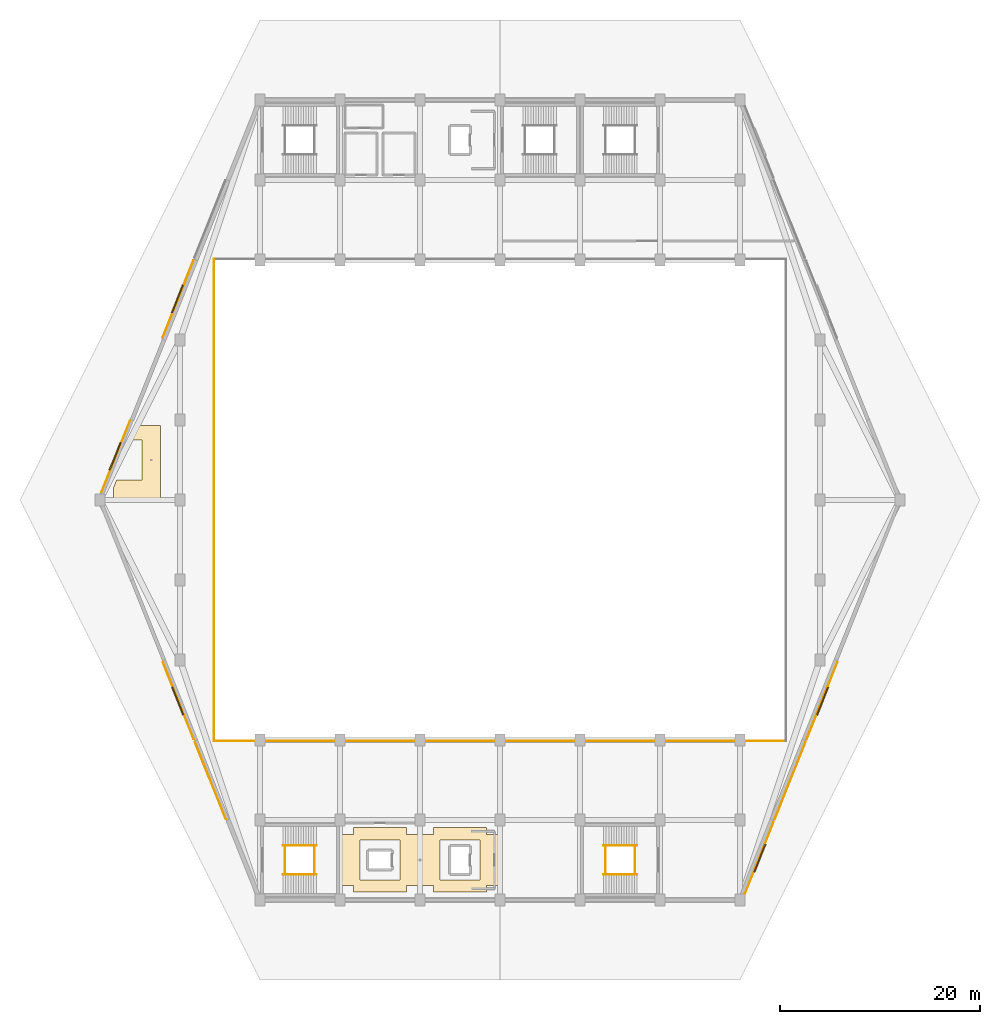
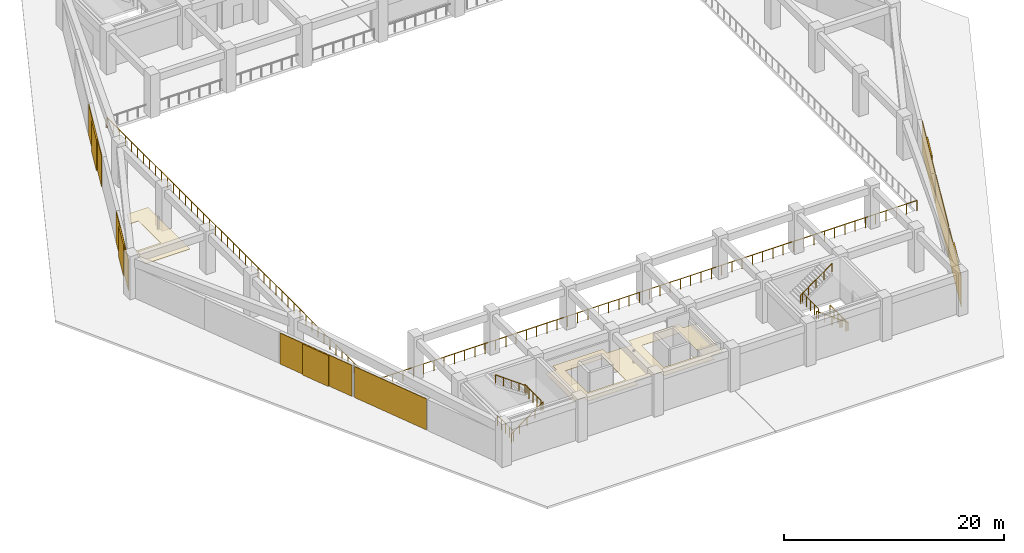
# One storey, part 7 of 8: 10 railings, 9 coverings, 5 shading devices.
"""IFC4 building model written with IfcOpenShell, lengths in metres."""

from ifc_helpers import new_model, si_unit, direction, frame, origin, origin_2d, place, context, subcontext, project, spatial, polyline, rectangle, circle, outline, extrude, material, layer, layer_set, type_object, element, save


model = new_model("IFC4")

# Units and contexts
model_context = context("Model", 3, precision=1e-05, world=origin(), true_north=direction((0.0, 1.0)))
body_context = subcontext(model_context, "Body", "Model", "MODEL_VIEW")
ifc_project = project(units=[si_unit("LENGTHUNIT", "METRE"), si_unit("AREAUNIT", "SQUARE_METRE"), si_unit("VOLUMEUNIT", "CUBIC_METRE"), si_unit("PLANEANGLEUNIT", "RADIAN"), si_unit("MASSUNIT", "GRAM", prefix="KILO")], contexts=[model_context])

# Site, building, storey
site_placement = place(None, origin())
site = spatial("IfcSite", under=ifc_project, at=site_placement, CompositionType="ELEMENT")
building_placement = place(site_placement, origin())
building = spatial("IfcBuilding", under=site, at=building_placement, Name="Tazarka Park Arena", CompositionType="ELEMENT")
storey_placement = place(building_placement, frame((0.0, 0.0, 19.800048828125)))
storey = spatial("IfcBuildingStorey", under=building, at=storey_placement, Name="L04", CompositionType="ELEMENT", Elevation=19.800048828125)

# Coverings
ifc_material_1 = material(Name="Dark ribbed perforated bronze-charcoal aluminium mesh", Category="aluminium")
ifc_layer_1 = layer(ifc_material_1, 0.06005859375, Name="Dark ribbed perforated bronze-charcoal aluminium mesh")
ifc_layer_set_1 = layer_set([ifc_layer_1], Name="Dark ribbed perforated bronze-charcoal aluminium mesh")
covering_type_1 = type_object("IfcCoveringType", Name="CLD-01", PredefinedType="CLADDING", material=ifc_layer_set_1)
for number, where, z_axis, x_axis, name in (
    (1, (120.19970703125, 43.920166015625, 0.0), (0.0, 0.0, 1.0), (-0.37136783555, -0.928485826881, 0.0), "Ribbed Metal Mesh Cladding EW-L04-0332"),
    (2, (117.0087890625, 35.91650390625, 0.0), (0.0, 0.0, 1.0), (-0.37136783555, -0.928485826881, 0.0), "Ribbed Metal Mesh Cladding EW-L04-0333"),
):
    element("IfcCovering", number, at=place(storey_placement, frame(where, z_axis=z_axis, x_axis=x_axis)), inside=storey, type_object=covering_type_1, Name=name, PredefinedType="CLADDING", context=body_context, shape_type="SweptSolid", body=[
        extrude(rectangle(XDim=8.31640625, YDim=0.06005859375, at=origin_2d()), origin(), (0.0, 0.0, 1.0), 3.449951171875),
    ])
for number, where, z_axis, x_axis, name in (
    (3, (113.929443359375, 28.20458984375, 0.0), (0.0, 0.0, 1.0), (-0.37136783555, -0.928485826881, 0.0), "Ribbed Metal Mesh Cladding EW-L04-0334"),
    (4, (49.572021484375, 68.34765625, 0.0), (0.0, 0.0, 1.0), (0.37136783555, 0.928485826881, 0.0), "Ribbed Metal Mesh Cladding EW-L04-0346"),
):
    element("IfcCovering", number, at=place(storey_placement, frame(where, z_axis=z_axis, x_axis=x_axis)), inside=storey, type_object=covering_type_1, Name=name, PredefinedType="CLADDING", context=body_context, shape_type="SweptSolid", body=[
        extrude(rectangle(XDim=7.691650390625, YDim=0.06005859375, at=origin_2d()), origin(), (0.0, 0.0, 1.0), 3.449951171875),
    ])
for number, where, z_axis, x_axis, name in (
    (5, (55.80029296875, 84.079833984375, 0.0), (0.0, 0.0, 1.0), (0.37136783555, 0.928485826881, 0.0), "Ribbed Metal Mesh Cladding EW-L04-0348"),
    (6, (59.042236328125, 35.93701171875, 0.0), (0.0, 0.0, 1.0), (-0.37136783555, 0.928485826881, 0.0), "Ribbed Metal Mesh Cladding EW-L04-0352"),
    (7, (55.8330078125, 43.93310546875, 0.0), (0.0, 0.0, 1.0), (-0.37136783555, 0.928485826881, 0.0), "Ribbed Metal Mesh Cladding EW-L04-0353"),
):
    element("IfcCovering", number, at=place(storey_placement, frame(where, z_axis=z_axis, x_axis=x_axis)), inside=storey, type_object=covering_type_1, Name=name, PredefinedType="CLADDING", context=body_context, shape_type="SweptSolid", body=[
        extrude(rectangle(XDim=8.31640625, YDim=0.06005859375, at=origin_2d()), origin(), (0.0, 0.0, 1.0), 3.449951171875),
    ])
ifc_material_2 = material(Name="Perforated acoustic mineral-wool ceiling tile")
ifc_layer_2 = layer(ifc_material_2, 0.0400390625, Name="Perforated acoustic mineral-wool ceiling tile")
ifc_layer_set_2 = layer_set([ifc_layer_2], Name="Perforated acoustic mineral-wool ceiling tile")
covering_type_2 = type_object("IfcCoveringType", Name="CLG-01", PredefinedType="CEILING", material=ifc_layer_set_2)
covering_1_placement = place(storey_placement, frame((0.0, 0.0, 3.099853515625)))
element("IfcCovering", 8, at=covering_1_placement, inside=storey, type_object=covering_type_2, Name="Acoustic Ceiling South Sky Hospitality Suite Ring 11", PredefinedType="CEILING", context=body_context, shape_type="SweptSolid", body=[
    extrude(outline(polyline([(78.64990234375, 31.25), (78.64990234375, 30.550048828125), (81.35009765625, 30.550048828125), (81.35009765625, 31.25), (86.64990234375, 31.25), (86.64990234375, 30.550048828125), (87.89990234375, 30.550048828125), (87.89990234375, 25.449951171875), (86.64990234375, 25.449951171875), (86.64990234375, 24.800048828125), (81.35009765625, 24.800048828125), (81.35009765625, 25.449951171875), (78.64990234375, 25.449951171875), (78.64990234375, 24.800048828125), (73.35009765625, 24.800048828125), (73.35009765625, 25.449951171875), (72.18994140625, 25.449951171875), (72.18994140625, 30.550048828125), (73.35009765625, 30.550048828125), (73.35009765625, 31.25), (78.64990234375, 31.25)]), holes=[polyline([(74.0, 30.0), (74.0, 26.0), (78.0, 26.0), (78.0, 30.0), (74.0, 30.0)]), polyline([(82.0, 26.0), (86.0, 26.0), (86.0, 30.0), (82.0, 30.0), (82.0, 26.0)])]), origin(), (0.0, 0.0, 1.0), 0.0400390625),
])
ifc_material_3 = material(Name="Linear slatted timber-acoustic ceiling", Category="wood")
ifc_layer_3 = layer(ifc_material_3, 0.050048828125, Name="Linear slatted timber-acoustic ceiling")
ifc_layer_set_3 = layer_set([ifc_layer_3], Name="Linear slatted timber-acoustic ceiling")
covering_type_3 = type_object("IfcCoveringType", Name="CLG-02", PredefinedType="CEILING", material=ifc_layer_set_3)
covering_2_placement = place(storey_placement, frame((0.0, 0.0, 3.099853515625)))
element("IfcCovering", 9, at=covering_2_placement, inside=storey, type_object=covering_type_3, Name="Acoustic Ceiling International Media Centre and Press Workroom 10", PredefinedType="CEILING", context=body_context, shape_type="SweptSolid", body=[
    extrude(outline(polyline([(49.66162109375, 66.0), (52.199951171875, 66.0), (52.199951171875, 70.0), (51.26171875, 70.0), (51.841796875, 71.449951171875), (54.050048828125, 71.449951171875), (54.050048828125, 63.800048828125), (49.35009765625, 63.800048828125), (49.35009765625, 65.220703125), (49.66162109375, 66.0)])), origin(), (0.0, 0.0, 1.0), 0.050048828125),
])

# Railings
ifc_material_4 = material(Name="Brushed architectural stainless steel", Category="steel")
railing_type_1 = type_object("IfcRailingType", Name="HR-01", PredefinedType="HANDRAIL", material=ifc_material_4)
railing_1_placement = place(storey_placement, frame((66.31494140625, 26.550048828125, 0.0)))
element("IfcRailing", 10, at=railing_1_placement, inside=storey, type_object=railing_type_1, Name="Stair Handrail ST09-L04-F1", PredefinedType="HANDRAIL", context=body_context, shape_type="SweptSolid", body=[
    extrude(circle(Radius=0.02392578125, at=origin_2d()), frame((0.0, 0.0, 0.89599609375), z_axis=(0.810008566192, 0.0, 0.586418044312), x_axis=(0.0, 1.0, 0.0)), (0.0, 0.0, 1.0), 4.092529296875),
    extrude(circle(Radius=0.02099609375, at=origin_2d()), origin(), (0.0, 0.0, 1.0), 0.871826171875),
    extrude(circle(Radius=0.02099609375, at=origin_2d()), frame((0.82861328125, 0.0, 0.60009765625)), (0.0, 0.0, 1.0), 0.871826171875),
    extrude(circle(Radius=0.02099609375, at=origin_2d()), frame((1.657470703125, 0.0, 1.199951171875)), (0.0, 0.0, 1.0), 0.871826171875),
    extrude(circle(Radius=0.02099609375, at=origin_2d()), frame((2.486328125, 0.0, 1.7998046875)), (0.0, 0.0, 1.0), 0.871826171875),
    extrude(circle(Radius=0.02099609375, at=origin_2d()), frame((3.31494140625, 0.0, 2.39990234375)), (0.0, 0.0, 1.0), 0.871826171875),
])
railing_2_placement = place(storey_placement, frame((69.6298828125, 29.449951171875, 2.39990234375)))
element("IfcRailing", 11, at=railing_2_placement, inside=storey, type_object=railing_type_1, Name="Stair Handrail ST09-L04-F2", PredefinedType="HANDRAIL", context=body_context, shape_type="SweptSolid", body=[
    extrude(circle(Radius=0.02392578125, at=origin_2d()), frame((0.0, 0.0, 0.89599609375), z_axis=(-0.809980229442, 0.0, 0.586457183359), x_axis=(0.0, -1.0, 0.0)), (0.0, 0.0, 1.0), 4.092529296875),
    extrude(circle(Radius=0.02099609375, at=origin_2d()), origin(), (0.0, 0.0, 1.0), 0.871826171875),
    extrude(circle(Radius=0.02099609375, at=origin_2d()), frame((-0.82861328125, 0.0, 0.60009765625)), (0.0, 0.0, 1.0), 0.871826171875),
    extrude(circle(Radius=0.02099609375, at=origin_2d()), frame((-1.657470703125, 0.0, 1.2001953125)), (0.0, 0.0, 1.0), 0.871826171875),
    extrude(circle(Radius=0.02099609375, at=origin_2d()), frame((-2.486328125, 0.0, 1.800048828125)), (0.0, 0.0, 1.0), 0.871826171875),
    extrude(circle(Radius=0.02099609375, at=origin_2d()), frame((-3.31494140625, 0.0, 2.400146484375)), (0.0, 0.0, 1.0), 0.871826171875),
])
railing_3_placement = place(storey_placement, frame((101.68505859375, 26.550048828125, 0.0)))
element("IfcRailing", 12, at=railing_3_placement, inside=storey, type_object=railing_type_1, Name="Stair Handrail ST11-L04-F1", PredefinedType="HANDRAIL", context=body_context, shape_type="SweptSolid", body=[
    extrude(circle(Radius=0.02392578125, at=origin_2d()), frame((0.0, 0.0, 0.89599609375), z_axis=(-0.810008566192, 0.0, 0.586418044312), x_axis=(0.0, -1.0, 0.0)), (0.0, 0.0, 1.0), 4.092529296875),
    extrude(circle(Radius=0.02099609375, at=origin_2d()), origin(), (0.0, 0.0, 1.0), 0.871826171875),
    extrude(circle(Radius=0.02099609375, at=origin_2d()), frame((-0.82861328125, 0.0, 0.60009765625)), (0.0, 0.0, 1.0), 0.871826171875),
    extrude(circle(Radius=0.02099609375, at=origin_2d()), frame((-1.657470703125, 0.0, 1.199951171875)), (0.0, 0.0, 1.0), 0.871826171875),
    extrude(circle(Radius=0.02099609375, at=origin_2d()), frame((-2.486328125, 0.0, 1.7998046875)), (0.0, 0.0, 1.0), 0.871826171875),
    extrude(circle(Radius=0.02099609375, at=origin_2d()), frame((-3.31494140625, 0.0, 2.39990234375)), (0.0, 0.0, 1.0), 0.871826171875),
])
railing_4_placement = place(storey_placement, frame((98.3701171875, 29.449951171875, 2.39990234375)))
element("IfcRailing", 13, at=railing_4_placement, inside=storey, type_object=railing_type_1, Name="Stair Handrail ST11-L04-F2", PredefinedType="HANDRAIL", context=body_context, shape_type="SweptSolid", body=[
    extrude(circle(Radius=0.02392578125, at=origin_2d()), frame((0.0, 0.0, 0.89599609375), z_axis=(0.809980229442, 0.0, 0.586457183359), x_axis=(0.0, 1.0, 0.0)), (0.0, 0.0, 1.0), 4.092529296875),
    extrude(circle(Radius=0.02099609375, at=origin_2d()), origin(), (0.0, 0.0, 1.0), 0.871826171875),
    extrude(circle(Radius=0.02099609375, at=origin_2d()), frame((0.82861328125, 0.0, 0.60009765625)), (0.0, 0.0, 1.0), 0.871826171875),
    extrude(circle(Radius=0.02099609375, at=origin_2d()), frame((1.657470703125, 0.0, 1.2001953125)), (0.0, 0.0, 1.0), 0.871826171875),
    extrude(circle(Radius=0.02099609375, at=origin_2d()), frame((2.486328125, 0.0, 1.800048828125)), (0.0, 0.0, 1.0), 0.871826171875),
    extrude(circle(Radius=0.02099609375, at=origin_2d()), frame((3.31494140625, 0.0, 2.400146484375)), (0.0, 0.0, 1.0), 0.871826171875),
])
ifc_material_5 = material(Name="Galvanised powder-coated architectural steel", Category="steel")
railing_type_2 = type_object("IfcRailingType", Name="IGR-01", PredefinedType="GUARDRAIL", material=ifc_material_5)
for number, where, name in (
    (14, (66.514892578125, 26.550048828125, 0.0), "Stair Well Guardrail ST09-L04"),
    (15, (69.429931640625, 26.550048828125, 2.39990234375), "Landing Guardrail ST09-L04-M"),
    (16, (101.485107421875, 26.550048828125, 0.0), "Stair Well Guardrail ST11-L04"),
    (17, (98.570068359375, 26.550048828125, 2.39990234375), "Landing Guardrail ST11-L04-M"),
):
    element("IfcRailing", number, at=place(storey_placement, frame(where)), inside=storey, type_object=railing_type_2, Name=name, PredefinedType="GUARDRAIL", context=body_context, shape_type="SweptSolid", body=[
        extrude(circle(Radius=0.02392578125, at=origin_2d()), frame((0.0, 0.0, 1.1259765625), z_axis=(0.0, 1.0, 0.0), x_axis=(-1.0, 0.0, 0.0)), (0.0, 0.0, 1.0), 2.89990234375),
        extrude(circle(Radius=0.02099609375, at=origin_2d()), origin(), (0.0, 0.0, 1.0), 1.101806640625),
        extrude(circle(Radius=0.02099609375, at=origin_2d()), frame((0.0, 0.72509765625, 0.0)), (0.0, 0.0, 1.0), 1.101806640625),
        extrude(circle(Radius=0.02099609375, at=origin_2d()), frame((0.0, 1.449951171875, 0.0)), (0.0, 0.0, 1.0), 1.101806640625),
        extrude(circle(Radius=0.02099609375, at=origin_2d()), frame((0.0, 2.1748046875, 0.0)), (0.0, 0.0, 1.0), 1.101806640625),
        extrude(circle(Radius=0.02099609375, at=origin_2d()), frame((0.0, 2.89990234375, 0.0)), (0.0, 0.0, 1.0), 1.101806640625),
    ])
railing_5_placement = place(storey_placement, frame((59.3798828125, 39.8798828125, 0.0)))
element("IfcRailing", 18, at=railing_5_placement, inside=storey, type_object=railing_type_2, Name="Interior Barrier Guardrail IGR-01-015", PredefinedType="GUARDRAIL", context=body_context, shape_type="SweptSolid", body=[
    extrude(circle(Radius=0.02392578125, at=origin_2d()), frame((0.0, 0.0, 1.1259765625), z_axis=(0.0, 1.0, 0.0), x_axis=(-1.0, 0.0, 0.0)), (0.0, 0.0, 1.0), 48.240234375),
    extrude(circle(Radius=0.02099609375, at=origin_2d()), origin(), (0.0, 0.0, 1.0), 1.101806640625),
    extrude(circle(Radius=0.02099609375, at=origin_2d()), frame((0.0, 1.096435546875, 0.0)), (0.0, 0.0, 1.0), 1.101806640625),
    extrude(circle(Radius=0.02099609375, at=origin_2d()), frame((0.0, 2.192626953125, 0.0)), (0.0, 0.0, 1.0), 1.101806640625),
    extrude(circle(Radius=0.02099609375, at=origin_2d()), frame((0.0, 3.2890625, 0.0)), (0.0, 0.0, 1.0), 1.101806640625),
    extrude(circle(Radius=0.02099609375, at=origin_2d()), frame((0.0, 4.385498046875, 0.0)), (0.0, 0.0, 1.0), 1.101806640625),
    extrude(circle(Radius=0.02099609375, at=origin_2d()), frame((0.0, 5.48193359375, 0.0)), (0.0, 0.0, 1.0), 1.101806640625),
    extrude(circle(Radius=0.02099609375, at=origin_2d()), frame((0.0, 6.578125, 0.0)), (0.0, 0.0, 1.0), 1.101806640625),
    extrude(circle(Radius=0.02099609375, at=origin_2d()), frame((0.0, 7.674560546875, 0.0)), (0.0, 0.0, 1.0), 1.101806640625),
    extrude(circle(Radius=0.02099609375, at=origin_2d()), frame((0.0, 8.77099609375, 0.0)), (0.0, 0.0, 1.0), 1.101806640625),
    extrude(circle(Radius=0.02099609375, at=origin_2d()), frame((0.0, 9.867431640625, 0.0)), (0.0, 0.0, 1.0), 1.101806640625),
    extrude(circle(Radius=0.02099609375, at=origin_2d()), frame((0.0, 10.963623046875, 0.0)), (0.0, 0.0, 1.0), 1.101806640625),
    extrude(circle(Radius=0.02099609375, at=origin_2d()), frame((0.0, 12.06005859375, 0.0)), (0.0, 0.0, 1.0), 1.101806640625),
    extrude(circle(Radius=0.02099609375, at=origin_2d()), frame((0.0, 13.156494140625, 0.0)), (0.0, 0.0, 1.0), 1.101806640625),
    extrude(circle(Radius=0.02099609375, at=origin_2d()), frame((0.0, 14.252685546875, 0.0)), (0.0, 0.0, 1.0), 1.101806640625),
    extrude(circle(Radius=0.02099609375, at=origin_2d()), frame((0.0, 15.34912109375, 0.0)), (0.0, 0.0, 1.0), 1.101806640625),
    extrude(circle(Radius=0.02099609375, at=origin_2d()), frame((0.0, 16.445556640625, 0.0)), (0.0, 0.0, 1.0), 1.101806640625),
    extrude(circle(Radius=0.02099609375, at=origin_2d()), frame((0.0, 17.5419921875, 0.0)), (0.0, 0.0, 1.0), 1.101806640625),
    extrude(circle(Radius=0.02099609375, at=origin_2d()), frame((0.0, 18.63818359375, 0.0)), (0.0, 0.0, 1.0), 1.101806640625),
    extrude(circle(Radius=0.02099609375, at=origin_2d()), frame((0.0, 19.734619140625, 0.0)), (0.0, 0.0, 1.0), 1.101806640625),
    extrude(circle(Radius=0.02099609375, at=origin_2d()), frame((0.0, 20.8310546875, 0.0)), (0.0, 0.0, 1.0), 1.101806640625),
    extrude(circle(Radius=0.02099609375, at=origin_2d()), frame((0.0, 21.927490234375, 0.0)), (0.0, 0.0, 1.0), 1.101806640625),
    extrude(circle(Radius=0.02099609375, at=origin_2d()), frame((0.0, 23.023681640625, 0.0)), (0.0, 0.0, 1.0), 1.101806640625),
    extrude(circle(Radius=0.02099609375, at=origin_2d()), frame((0.0, 24.1201171875, 0.0)), (0.0, 0.0, 1.0), 1.101806640625),
    extrude(circle(Radius=0.02099609375, at=origin_2d()), frame((0.0, 25.216552734375, 0.0)), (0.0, 0.0, 1.0), 1.101806640625),
    extrude(circle(Radius=0.02099609375, at=origin_2d()), frame((0.0, 26.312744140625, 0.0)), (0.0, 0.0, 1.0), 1.101806640625),
    extrude(circle(Radius=0.02099609375, at=origin_2d()), frame((0.0, 27.4091796875, 0.0)), (0.0, 0.0, 1.0), 1.101806640625),
    extrude(circle(Radius=0.02099609375, at=origin_2d()), frame((0.0, 28.505615234375, 0.0)), (0.0, 0.0, 1.0), 1.101806640625),
    extrude(circle(Radius=0.02099609375, at=origin_2d()), frame((0.0, 29.60205078125, 0.0)), (0.0, 0.0, 1.0), 1.101806640625),
    extrude(circle(Radius=0.02099609375, at=origin_2d()), frame((0.0, 30.6982421875, 0.0)), (0.0, 0.0, 1.0), 1.101806640625),
    extrude(circle(Radius=0.02099609375, at=origin_2d()), frame((0.0, 31.794677734375, 0.0)), (0.0, 0.0, 1.0), 1.101806640625),
    extrude(circle(Radius=0.02099609375, at=origin_2d()), frame((0.0, 32.89111328125, 0.0)), (0.0, 0.0, 1.0), 1.101806640625),
    extrude(circle(Radius=0.02099609375, at=origin_2d()), frame((0.0, 33.987548828125, 0.0)), (0.0, 0.0, 1.0), 1.101806640625),
    extrude(circle(Radius=0.02099609375, at=origin_2d()), frame((0.0, 35.083740234375, 0.0)), (0.0, 0.0, 1.0), 1.101806640625),
    extrude(circle(Radius=0.02099609375, at=origin_2d()), frame((0.0, 36.18017578125, 0.0)), (0.0, 0.0, 1.0), 1.101806640625),
    extrude(circle(Radius=0.02099609375, at=origin_2d()), frame((0.0, 37.276611328125, 0.0)), (0.0, 0.0, 1.0), 1.101806640625),
    extrude(circle(Radius=0.02099609375, at=origin_2d()), frame((0.0, 38.372802734375, 0.0)), (0.0, 0.0, 1.0), 1.101806640625),
    extrude(circle(Radius=0.02099609375, at=origin_2d()), frame((0.0, 39.46923828125, 0.0)), (0.0, 0.0, 1.0), 1.101806640625),
    extrude(circle(Radius=0.02099609375, at=origin_2d()), frame((0.0, 40.565673828125, 0.0)), (0.0, 0.0, 1.0), 1.101806640625),
    extrude(circle(Radius=0.02099609375, at=origin_2d()), frame((0.0, 41.662109375, 0.0)), (0.0, 0.0, 1.0), 1.101806640625),
    extrude(circle(Radius=0.02099609375, at=origin_2d()), frame((0.0, 42.75830078125, 0.0)), (0.0, 0.0, 1.0), 1.101806640625),
    extrude(circle(Radius=0.02099609375, at=origin_2d()), frame((0.0, 43.854736328125, 0.0)), (0.0, 0.0, 1.0), 1.101806640625),
    extrude(circle(Radius=0.02099609375, at=origin_2d()), frame((0.0, 44.951171875, 0.0)), (0.0, 0.0, 1.0), 1.101806640625),
    extrude(circle(Radius=0.02099609375, at=origin_2d()), frame((0.0, 46.047607421875, 0.0)), (0.0, 0.0, 1.0), 1.101806640625),
    extrude(circle(Radius=0.02099609375, at=origin_2d()), frame((0.0, 47.143798828125, 0.0)), (0.0, 0.0, 1.0), 1.101806640625),
    extrude(circle(Radius=0.02099609375, at=origin_2d()), frame((0.0, 48.240234375, 0.0)), (0.0, 0.0, 1.0), 1.101806640625),
])
railing_6_placement = place(storey_placement, frame((59.3798828125, 39.8798828125, 0.0)))
element("IfcRailing", 19, at=railing_6_placement, inside=storey, type_object=railing_type_2, Name="Interior Barrier Guardrail IGR-01-017", PredefinedType="GUARDRAIL", context=body_context, shape_type="SweptSolid", body=[
    extrude(circle(Radius=0.02392578125, at=origin_2d()), frame((0.0, 0.0, 1.1259765625), z_axis=(1.0, 0.0, 0.0), x_axis=(0.0, 1.0, 0.0)), (0.0, 0.0, 1.0), 57.240234375),
    extrude(circle(Radius=0.02099609375, at=origin_2d()), origin(), (0.0, 0.0, 1.0), 1.101806640625),
    extrude(circle(Radius=0.02099609375, at=origin_2d()), frame((1.080078125, 0.0, 0.0)), (0.0, 0.0, 1.0), 1.101806640625),
    extrude(circle(Radius=0.02099609375, at=origin_2d()), frame((2.159912109375, 0.0, 0.0)), (0.0, 0.0, 1.0), 1.101806640625),
    extrude(circle(Radius=0.02099609375, at=origin_2d()), frame((3.239990234375, 0.0, 0.0)), (0.0, 0.0, 1.0), 1.101806640625),
    extrude(circle(Radius=0.02099609375, at=origin_2d()), frame((4.320068359375, 0.0, 0.0)), (0.0, 0.0, 1.0), 1.101806640625),
    extrude(circle(Radius=0.02099609375, at=origin_2d()), frame((5.39990234375, 0.0, 0.0)), (0.0, 0.0, 1.0), 1.101806640625),
    extrude(circle(Radius=0.02099609375, at=origin_2d()), frame((6.47998046875, 0.0, 0.0)), (0.0, 0.0, 1.0), 1.101806640625),
    extrude(circle(Radius=0.02099609375, at=origin_2d()), frame((7.56005859375, 0.0, 0.0)), (0.0, 0.0, 1.0), 1.101806640625),
    extrude(circle(Radius=0.02099609375, at=origin_2d()), frame((8.64013671875, 0.0, 0.0)), (0.0, 0.0, 1.0), 1.101806640625),
    extrude(circle(Radius=0.02099609375, at=origin_2d()), frame((9.719970703125, 0.0, 0.0)), (0.0, 0.0, 1.0), 1.101806640625),
    extrude(circle(Radius=0.02099609375, at=origin_2d()), frame((10.800048828125, 0.0, 0.0)), (0.0, 0.0, 1.0), 1.101806640625),
    extrude(circle(Radius=0.02099609375, at=origin_2d()), frame((11.880126953125, 0.0, 0.0)), (0.0, 0.0, 1.0), 1.101806640625),
    extrude(circle(Radius=0.02099609375, at=origin_2d()), frame((12.9599609375, 0.0, 0.0)), (0.0, 0.0, 1.0), 1.101806640625),
    extrude(circle(Radius=0.02099609375, at=origin_2d()), frame((14.0400390625, 0.0, 0.0)), (0.0, 0.0, 1.0), 1.101806640625),
    extrude(circle(Radius=0.02099609375, at=origin_2d()), frame((15.1201171875, 0.0, 0.0)), (0.0, 0.0, 1.0), 1.101806640625),
    extrude(circle(Radius=0.02099609375, at=origin_2d()), frame((16.199951171875, 0.0, 0.0)), (0.0, 0.0, 1.0), 1.101806640625),
    extrude(circle(Radius=0.02099609375, at=origin_2d()), frame((17.280029296875, 0.0, 0.0)), (0.0, 0.0, 1.0), 1.101806640625),
    extrude(circle(Radius=0.02099609375, at=origin_2d()), frame((18.360107421875, 0.0, 0.0)), (0.0, 0.0, 1.0), 1.101806640625),
    extrude(circle(Radius=0.02099609375, at=origin_2d()), frame((19.440185546875, 0.0, 0.0)), (0.0, 0.0, 1.0), 1.101806640625),
    extrude(circle(Radius=0.02099609375, at=origin_2d()), frame((20.52001953125, 0.0, 0.0)), (0.0, 0.0, 1.0), 1.101806640625),
    extrude(circle(Radius=0.02099609375, at=origin_2d()), frame((21.60009765625, 0.0, 0.0)), (0.0, 0.0, 1.0), 1.101806640625),
    extrude(circle(Radius=0.02099609375, at=origin_2d()), frame((22.68017578125, 0.0, 0.0)), (0.0, 0.0, 1.0), 1.101806640625),
    extrude(circle(Radius=0.02099609375, at=origin_2d()), frame((23.760009765625, 0.0, 0.0)), (0.0, 0.0, 1.0), 1.101806640625),
    extrude(circle(Radius=0.02099609375, at=origin_2d()), frame((24.840087890625, 0.0, 0.0)), (0.0, 0.0, 1.0), 1.101806640625),
    extrude(circle(Radius=0.02099609375, at=origin_2d()), frame((25.920166015625, 0.0, 0.0)), (0.0, 0.0, 1.0), 1.101806640625),
    extrude(circle(Radius=0.02099609375, at=origin_2d()), frame((27.0, 0.0, 0.0)), (0.0, 0.0, 1.0), 1.101806640625),
    extrude(circle(Radius=0.02099609375, at=origin_2d()), frame((28.080078125, 0.0, 0.0)), (0.0, 0.0, 1.0), 1.101806640625),
    extrude(circle(Radius=0.02099609375, at=origin_2d()), frame((29.16015625, 0.0, 0.0)), (0.0, 0.0, 1.0), 1.101806640625),
    extrude(circle(Radius=0.02099609375, at=origin_2d()), frame((30.240234375, 0.0, 0.0)), (0.0, 0.0, 1.0), 1.101806640625),
    extrude(circle(Radius=0.02099609375, at=origin_2d()), frame((31.320068359375, 0.0, 0.0)), (0.0, 0.0, 1.0), 1.101806640625),
    extrude(circle(Radius=0.02099609375, at=origin_2d()), frame((32.400146484375, 0.0, 0.0)), (0.0, 0.0, 1.0), 1.101806640625),
    extrude(circle(Radius=0.02099609375, at=origin_2d()), frame((33.480224609375, 0.0, 0.0)), (0.0, 0.0, 1.0), 1.101806640625),
    extrude(circle(Radius=0.02099609375, at=origin_2d()), frame((34.56005859375, 0.0, 0.0)), (0.0, 0.0, 1.0), 1.101806640625),
    extrude(circle(Radius=0.02099609375, at=origin_2d()), frame((35.64013671875, 0.0, 0.0)), (0.0, 0.0, 1.0), 1.101806640625),
    extrude(circle(Radius=0.02099609375, at=origin_2d()), frame((36.72021484375, 0.0, 0.0)), (0.0, 0.0, 1.0), 1.101806640625),
    extrude(circle(Radius=0.02099609375, at=origin_2d()), frame((37.800048828125, 0.0, 0.0)), (0.0, 0.0, 1.0), 1.101806640625),
    extrude(circle(Radius=0.02099609375, at=origin_2d()), frame((38.880126953125, 0.0, 0.0)), (0.0, 0.0, 1.0), 1.101806640625),
    extrude(circle(Radius=0.02099609375, at=origin_2d()), frame((39.960205078125, 0.0, 0.0)), (0.0, 0.0, 1.0), 1.101806640625),
    extrude(circle(Radius=0.02099609375, at=origin_2d()), frame((41.040283203125, 0.0, 0.0)), (0.0, 0.0, 1.0), 1.101806640625),
    extrude(circle(Radius=0.02099609375, at=origin_2d()), frame((42.1201171875, 0.0, 0.0)), (0.0, 0.0, 1.0), 1.101806640625),
    extrude(circle(Radius=0.02099609375, at=origin_2d()), frame((43.2001953125, 0.0, 0.0)), (0.0, 0.0, 1.0), 1.101806640625),
    extrude(circle(Radius=0.02099609375, at=origin_2d()), frame((44.2802734375, 0.0, 0.0)), (0.0, 0.0, 1.0), 1.101806640625),
    extrude(circle(Radius=0.02099609375, at=origin_2d()), frame((45.360107421875, 0.0, 0.0)), (0.0, 0.0, 1.0), 1.101806640625),
    extrude(circle(Radius=0.02099609375, at=origin_2d()), frame((46.440185546875, 0.0, 0.0)), (0.0, 0.0, 1.0), 1.101806640625),
    extrude(circle(Radius=0.02099609375, at=origin_2d()), frame((47.520263671875, 0.0, 0.0)), (0.0, 0.0, 1.0), 1.101806640625),
    extrude(circle(Radius=0.02099609375, at=origin_2d()), frame((48.60009765625, 0.0, 0.0)), (0.0, 0.0, 1.0), 1.101806640625),
    extrude(circle(Radius=0.02099609375, at=origin_2d()), frame((49.68017578125, 0.0, 0.0)), (0.0, 0.0, 1.0), 1.101806640625),
    extrude(circle(Radius=0.02099609375, at=origin_2d()), frame((50.76025390625, 0.0, 0.0)), (0.0, 0.0, 1.0), 1.101806640625),
    extrude(circle(Radius=0.02099609375, at=origin_2d()), frame((51.84033203125, 0.0, 0.0)), (0.0, 0.0, 1.0), 1.101806640625),
    extrude(circle(Radius=0.02099609375, at=origin_2d()), frame((52.920166015625, 0.0, 0.0)), (0.0, 0.0, 1.0), 1.101806640625),
    extrude(circle(Radius=0.02099609375, at=origin_2d()), frame((54.000244140625, 0.0, 0.0)), (0.0, 0.0, 1.0), 1.101806640625),
    extrude(circle(Radius=0.02099609375, at=origin_2d()), frame((55.080322265625, 0.0, 0.0)), (0.0, 0.0, 1.0), 1.101806640625),
    extrude(circle(Radius=0.02099609375, at=origin_2d()), frame((56.16015625, 0.0, 0.0)), (0.0, 0.0, 1.0), 1.101806640625),
    extrude(circle(Radius=0.02099609375, at=origin_2d()), frame((57.240234375, 0.0, 0.0)), (0.0, 0.0, 1.0), 1.101806640625),
])

# Shading devices
ifc_material_6 = material(Name="Dark ribbed perforated bronze-charcoal aluminium mesh", Category="aluminium")
shading_device_type = type_object("IfcShadingDeviceType", Name="SHD-02", PredefinedType="JALOUSIE", material=ifc_material_6)
for number, where, z_axis, x_axis, name in (
    (20, (120.25537109375, 43.89794921875, 0.0), (0.0, 0.0, 1.0), (-0.37136783555, -0.928485826881, 0.0), "Perforated Mesh Screen EW-L04-0332"),
    (21, (113.9853515625, 28.182373046875, 0.0), (0.0, 0.0, 1.0), (-0.37136783555, -0.928485826881, 0.0), "Perforated Mesh Screen EW-L04-0334"),
    (22, (49.516357421875, 68.369873046875, 0.0), (0.0, 0.0, 1.0), (0.37136783555, 0.928485826881, 0.0), "Perforated Mesh Screen EW-L04-0346"),
    (23, (55.74462890625, 84.10205078125, 0.0), (0.0, 0.0, 1.0), (0.37136783555, 0.928485826881, 0.0), "Perforated Mesh Screen EW-L04-0348"),
    (24, (55.777099609375, 43.910888671875, 0.0), (0.0, 0.0, 1.0), (-0.37136783555, 0.928485826881, 0.0), "Perforated Mesh Screen EW-L04-0353"),
):
    element("IfcShadingDevice", number, at=place(storey_placement, frame(where, z_axis=z_axis, x_axis=x_axis)), inside=storey, type_object=shading_device_type, Name=name, PredefinedType="JALOUSIE", context=body_context, shape_type="SweptSolid", body=[
        extrude(rectangle(XDim=3.0, YDim=0.139892578125, at=origin_2d()), origin(), (0.0, 0.0, 1.0), 3.449951171875),
    ])

save(model, "model.ifc")
